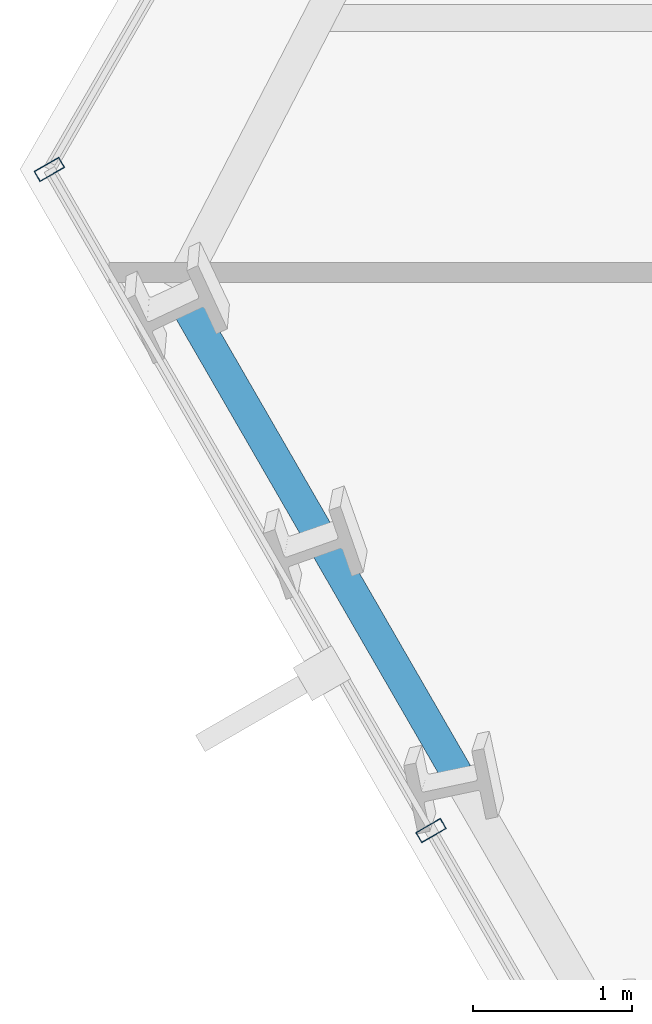
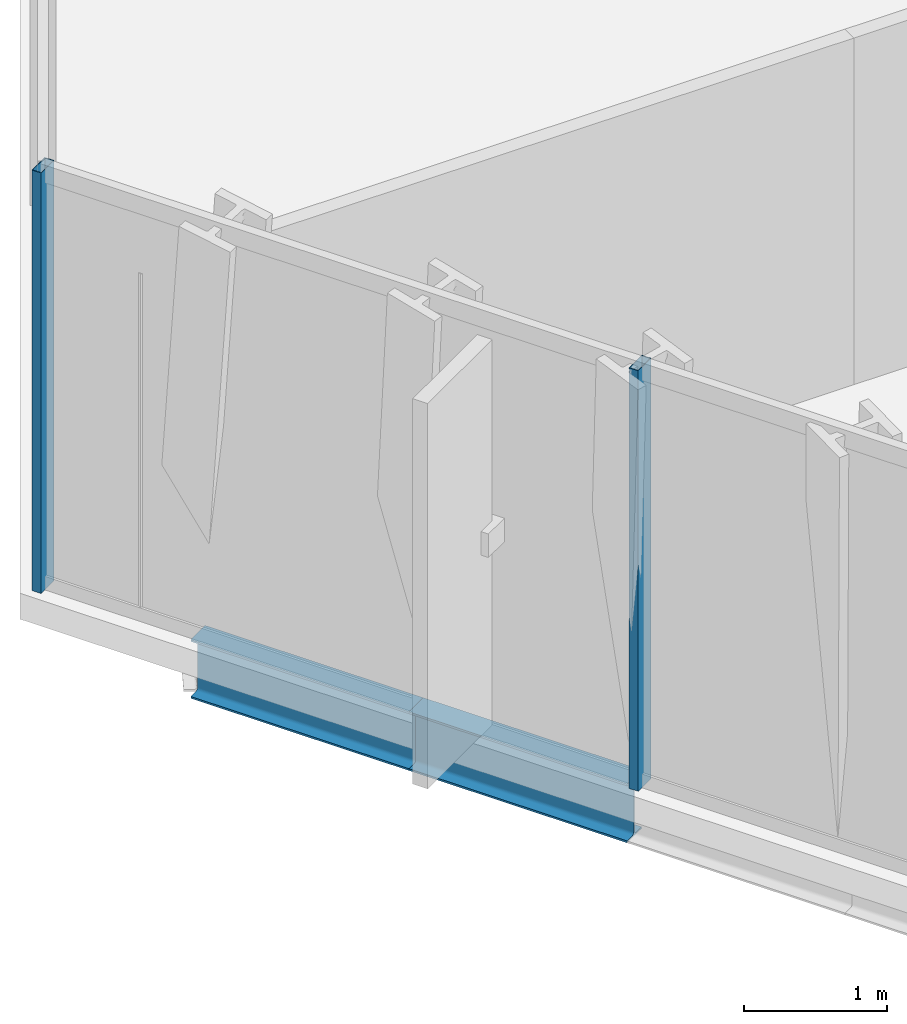
# One storey, part 5 of 33: 2 beams, 2 members, 1 element without a shape of its own.
"""IFC4 building model written with IfcOpenShell, lengths in metres."""

from ifc_helpers import new_model, si_unit, direction, frame, origin, origin_2d, place, context, subcontext, project, spatial, hollow_rectangle, i_section, extrude, material, layer, layer_set, material_profile, profile_set, type_object, element, aggregate, save


model = new_model("IFC4")

# Units and contexts
model_context = context("Model", 3, precision=1e-05, world=origin(), true_north=direction((0.0, 1.0)))
body_context = subcontext(model_context, "Body", "Model", "MODEL_VIEW")
ifc_project = project(units=[si_unit("LENGTHUNIT", "METRE"), si_unit("AREAUNIT", "SQUARE_METRE"), si_unit("VOLUMEUNIT", "CUBIC_METRE"), si_unit("PLANEANGLEUNIT", "RADIAN"), si_unit("MASSUNIT", "GRAM", prefix="KILO")], contexts=[model_context])

# Site, building, storey
site_placement = place(None, origin())
site = spatial("IfcSite", under=ifc_project, at=site_placement, CompositionType="ELEMENT")
building_placement = place(site_placement, origin())
building = spatial("IfcBuilding", under=site, at=building_placement, Name="Ndaravel Arena Tower", CompositionType="ELEMENT")
storey_placement = place(building_placement, frame((0.0, 0.0, 89.199951171875)))
storey = spatial("IfcBuildingStorey", under=building, at=storey_placement, Name="L20", CompositionType="ELEMENT", Elevation=89.199951171875)

# Beams
ifc_material_1 = material(Name="Steel S355", Category="steel")
ifc_material_profile_1 = material_profile(ifc_material_1, i_section(OverallWidth=0.199951171875, OverallDepth=0.5, WebThickness=0.01025390625, FlangeThickness=0.01611328125, FilletRadius=0.02099609375, at=origin_2d()), Name="IPE 500")
ifc_profile_set_1 = profile_set([ifc_material_profile_1], Name="Steel S355")
beam_type = type_object("IfcBeamType", Name="BM-SPAN-IPE500", PredefinedType="SPANDREL", material=ifc_profile_set_1)
beam_1_placement = place(storey_placement, frame((19.289794921875, 16.887451171875, -0.469970703125), z_axis=(0.500011241135, -0.866018913615, 0.0), x_axis=(0.866018913615, 0.500011241135, 0.0)))
element("IfcBeam", 1, at=beam_1_placement, inside=storey, type_object=beam_type, Name="L20 Perimeter Spandrel Beam SP-20", PredefinedType="SPANDREL", context=body_context, shape_type="SweptSolid", body=[
    extrude(i_section(OverallWidth=0.199951171875, OverallDepth=0.5, WebThickness=0.01025390625, FlangeThickness=0.01611328125, FilletRadius=0.02099609375, at=origin_2d()), origin(), (0.0, 0.0, 1.0), 1.75634765625),
])
beam_2_placement = place(storey_placement, frame((20.16796875, 15.366455078125, -0.469970703125), z_axis=(0.49990697594, -0.86607910459, 0.0), x_axis=(0.86607910459, 0.49990697594, 0.0)))
element("IfcBeam", 2, at=beam_2_placement, inside=storey, type_object=beam_type, Name="L20 Perimeter Spandrel Beam SP-21", PredefinedType="SPANDREL", context=body_context, shape_type="SweptSolid", body=[
    extrude(i_section(OverallWidth=0.199951171875, OverallDepth=0.5, WebThickness=0.01025390625, FlangeThickness=0.01611328125, FilletRadius=0.02099609375, at=origin_2d()), origin(), (0.0, 0.0, 1.0), 1.756103515625),
])

# Curtain wall, members
ifc_material_2 = material(Name="Aluminium", Category="aluminium")
ifc_layer = layer(ifc_material_2, 0.179931640625)
ifc_layer_set = layer_set([ifc_layer], Name="Aluminium")
curtain_wall_type = type_object("IfcCurtainWallType", Name="CW-SYS-02", PredefinedType="NOTDEFINED", material=ifc_layer_set)
curtain_wall_placement = place(storey_placement, origin())
curtain_wall = element("IfcCurtainWall", 3, at=curtain_wall_placement, inside=storey, type_object=curtain_wall_type, Name="L20 Faceted Crystal Curtain Wall CW-L20-E06", PredefinedType="NOTDEFINED")
ifc_material_3 = material(Name="Aluminium", Category="aluminium")
ifc_material_profile_2 = material_profile(ifc_material_3, hollow_rectangle(XDim=0.074951171875, YDim=0.179931640625, WallThickness=0.00390625, at=origin_2d()), Name="CW MULLION 75x180x4")
ifc_profile_set_2 = profile_set([ifc_material_profile_2], Name="Aluminium")
member_type = type_object("IfcMemberType", Name="MEM-CW-MUL180", PredefinedType="MULLION", material=ifc_profile_set_2)
member_1_placement = place(storey_placement, frame((18.481201171875, 17.64794921875, 0.0), z_axis=(0.0, 0.0, 1.0), x_axis=(0.5, -0.866025403784, 0.0)))
member_1 = element("IfcMember", 4, at=member_1_placement, type_object=member_type, Name="CW-L20-E06 Mullion 00", PredefinedType="MULLION", context=body_context, shape_type="SweptSolid", body=[
    extrude(hollow_rectangle(XDim=0.074951171875, YDim=0.179931640625, WallThickness=0.00390625, at=origin_2d()), origin(), (0.0, 0.0, 1.0), 3.580078125),
])
member_2_placement = place(storey_placement, frame((20.884521484375, 13.4853515625, 0.0), z_axis=(0.0, 0.0, 1.0), x_axis=(0.5, -0.866025403784, 0.0)))
member_2 = element("IfcMember", 5, at=member_2_placement, type_object=member_type, Name="CW-L20-E06 Mullion 01", PredefinedType="MULLION", context=body_context, shape_type="SweptSolid", body=[
    extrude(hollow_rectangle(XDim=0.074951171875, YDim=0.179931640625, WallThickness=0.00390625, at=origin_2d()), origin(), (0.0, 0.0, 1.0), 3.580078125),
])
aggregate(curtain_wall, [member_1, member_2])

save(model, "model.ifc")
